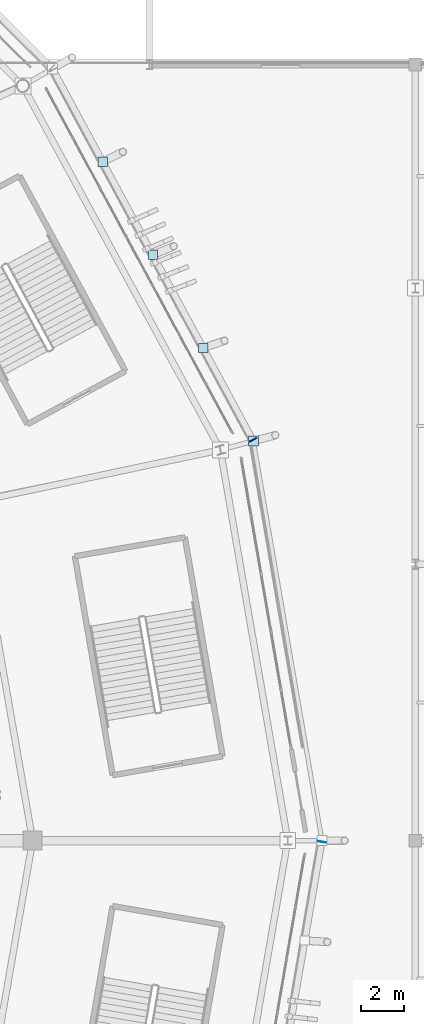
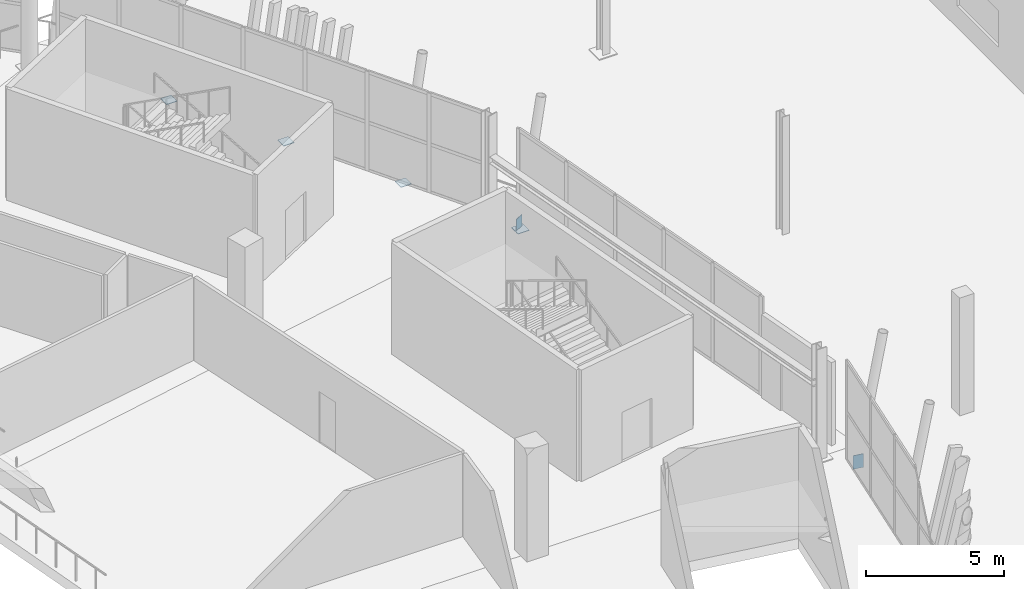
# One storey, part 113 of 178: 6 plates.
"""IFC4 building model written with IfcOpenShell, lengths in metres."""

import ifcopenshell
import ifcopenshell.guid

model = None  # the IFC model being written
_history = None  # IfcOwnerHistory: only IFC2X3 demands one
_inside = {}  # id of a spatial element -> (the spatial element, [elements in it])
_under = {}  # id of a project, library or spatial element -> (it, [spatial elements below it])
_declared = {}  # id of a project -> (the project, [libraries it declares])
_typed = {}  # id of a type object -> (the type object, [elements of that type])
_made_of = {}  # id of a material, layer set ... -> (it, [elements and type objects made of it])


def new_model(schema):
    """Start an empty IFC model of exactly this schema.

    Asked for "IFC4X3", IfcOpenShell would pick the latest addendum, in which some entities
    have other attributes; the version numbers below select the first issue.
    IFC2X3 requires an IfcOwnerHistory on every rooted entity: one is made here for all.
    """
    global model, _history
    if schema == "IFC4X3":
        model = ifcopenshell.file(schema_version=(4, 3, 0, 0))
    else:
        model = ifcopenshell.file(schema=schema)
    _inside.clear()
    _under.clear()
    _declared.clear()
    _typed.clear()
    _made_of.clear()
    _history = None
    if model.schema == "IFC2X3":
        org = make("IfcOrganization", Name="unknown")
        user = make(
            "IfcPersonAndOrganization",
            ThePerson=make("IfcPerson", FamilyName="unknown"),
            TheOrganization=org,
        )
        app = make(
            "IfcApplication",
            ApplicationDeveloper=org,
            Version="unknown",
            ApplicationFullName="unknown",
            ApplicationIdentifier="unknown",
        )
        _history = make(
            "IfcOwnerHistory",
            OwningUser=user,
            OwningApplication=app,
            ChangeAction="ADDED",
            CreationDate=0,
        )
    return model


def make(cls, **values):
    """One entity of the class cls with the attributes given. An attribute that is None is left unset."""
    return model.create_entity(
        cls, **{name: value for name, value in values.items() if value is not None}
    )


def rooted(cls, **values):
    """An entity with a GlobalId (a new one), such as an element, a storey or a relation."""
    return make(cls, GlobalId=ifcopenshell.guid.new(), OwnerHistory=_history, **values)


def si_unit(unit_type, name, prefix=None):
    """IfcSIUnit, for example si_unit("LENGTHUNIT", "METRE", prefix="MILLI")."""
    return make("IfcSIUnit", UnitType=unit_type, Prefix=prefix, Name=name)


def assignment(units):
    """IfcUnitAssignment: the units of a project."""
    return None if units is None else make("IfcUnitAssignment", Units=units)


def point(xyz):
    """IfcCartesianPoint."""
    return None if xyz is None else make("IfcCartesianPoint", Coordinates=xyz)


def direction(xyz):
    """IfcDirection."""
    return None if xyz is None else make("IfcDirection", DirectionRatios=xyz)


def frame(location, z_axis=None, x_axis=None):
    """IfcAxis2Placement3D, a coordinate frame: its origin and axes. An axis left out is left unset."""
    return make(
        "IfcAxis2Placement3D",
        Location=point(location),
        Axis=direction(z_axis),
        RefDirection=direction(x_axis),
    )


def frame_2d(location, x_axis=None):
    """IfcAxis2Placement2D, a coordinate frame in the plane: its origin and x axis."""
    return make(
        "IfcAxis2Placement2D", Location=point(location), RefDirection=direction(x_axis)
    )


def origin():
    """The frame at (0, 0, 0) with its axes left unset."""
    return frame((0.0, 0.0, 0.0))


def origin_2d():
    """The frame at (0, 0) in the plane with its x axis left unset."""
    return frame_2d((0.0, 0.0))


def place(relative_to, where):
    """IfcLocalPlacement: puts the frame where relative to a parent placement (None: the world)."""
    return make(
        "IfcLocalPlacement", PlacementRelTo=relative_to, RelativePlacement=where
    )


def context(
    kind, dimensions, precision=None, world=None, true_north=None, identifier=None
):
    """IfcGeometricRepresentationContext, for example the 3D "Model" context."""
    return make(
        "IfcGeometricRepresentationContext",
        ContextIdentifier=identifier,
        ContextType=kind,
        CoordinateSpaceDimension=dimensions,
        Precision=precision,
        WorldCoordinateSystem=world,
        TrueNorth=true_north,
    )


def subcontext(parent, identifier, kind, view, scale=None):
    """IfcGeometricRepresentationSubContext, for example "Body" below "Model"."""
    return make(
        "IfcGeometricRepresentationSubContext",
        ContextIdentifier=identifier,
        ContextType=kind,
        ParentContext=parent,
        TargetScale=scale,
        TargetView=view,
    )


def project(units=None, contexts=None):
    """IfcProject with its units and contexts."""
    return rooted(
        "IfcProject",
        Name="project",
        RepresentationContexts=contexts,
        UnitsInContext=assignment(units),
    )


def spatial(cls, under=None, at=None, **own):
    """A site, building, storey or space (cls), placed at a placement, below another one or the project."""
    s = rooted(cls, ObjectPlacement=at, **own)
    if under is not None:
        _under.setdefault(under.id(), (under, []))[1].append(s)
    return s


def profile(cls, at=None, kind="AREA", **sizes):
    """A parametric profile (cls). Its sizes go by their IFC names, for example OverallWidth=200.0."""
    return make(cls, ProfileType=kind, Position=at, **sizes)


def rectangle(**sizes):
    """IfcRectangleProfileDef."""
    return profile("IfcRectangleProfileDef", **sizes)


def extrude(swept, where, along, depth):
    """IfcExtrudedAreaSolid: the profile swept, set in the frame where, extruded along a direction by depth."""
    return make(
        "IfcExtrudedAreaSolid",
        SweptArea=swept,
        Position=where,
        ExtrudedDirection=direction(along),
        Depth=depth,
    )


def shape(context_of_items, identifier, shape_type, items):
    """IfcShapeRepresentation: the items that make up one representation, for example the "Body"."""
    return make(
        "IfcShapeRepresentation",
        ContextOfItems=context_of_items,
        RepresentationIdentifier=identifier,
        RepresentationType=shape_type,
        Items=items,
    )


def material(Name=None, Category=None):
    """IfcMaterial."""
    return make("IfcMaterial", Name=Name, Category=Category)


def layer(
    of_material, thickness, ventilated=None, Name=None, Category=None, Priority=None
):
    """IfcMaterialLayer: one layer of a wall or slab, of a material (None: an air gap)."""
    return make(
        "IfcMaterialLayer",
        Material=of_material,
        LayerThickness=thickness,
        IsVentilated=ventilated,
        Name=Name,
        Category=Category,
        Priority=Priority,
    )


def layer_set(layers, Name=None):
    """IfcMaterialLayerSet."""
    return make("IfcMaterialLayerSet", MaterialLayers=layers, LayerSetName=Name)


def made_of(thing, what):
    """Note that an element or type object is made of a material, layer set ...; save() writes the relation."""
    if what is not None:
        _made_of.setdefault(what.id(), (what, []))[1].append(thing)
    return thing


def type_object(cls, material=None, **own):
    """A type object (cls), such as IfcWallType, which elements share."""
    return made_of(rooted(cls, **own), material)


def element(
    cls,
    number,
    at=None,
    inside=None,
    cuts=None,
    type_object=None,
    material=None,
    context=None,
    identifier="Body",
    shape_type=None,
    held_by="IfcProductDefinitionShape",
    body=None,
    shapes=None,
    **own,
):
    """One element of the class cls, such as IfcWall. Its Tag is "e" and its number.

    at: its placement. inside: the storey or other place that contains it. cuts: it is an
    opening in that element (IfcRelVoidsElement). A single representation is given by context,
    identifier, shape_type and body (its items); several are given by shapes. held_by: the class
    of the entity that holds the representations. save() writes the other relations.
    """
    e = rooted(cls, Tag="e%d" % number, ObjectPlacement=at, **own)
    if body is not None:
        shapes = [shape(context, identifier, shape_type, body)]
    if shapes is not None:
        e.Representation = make(held_by, Representations=shapes)
    if inside is not None:
        _inside.setdefault(inside.id(), (inside, []))[1].append(e)
    if cuts is not None:
        rooted(
            "IfcRelVoidsElement", RelatingBuildingElement=cuts, RelatedOpeningElement=e
        )
    if type_object is not None:
        _typed.setdefault(type_object.id(), (type_object, []))[1].append(e)
    return made_of(e, material)


def aggregate(whole, parts):
    """IfcRelAggregates: a whole, such as a stair, and the parts it consists of."""
    return rooted("IfcRelAggregates", RelatingObject=whole, RelatedObjects=parts)


def save(model, path):
    """Write the relations noted so far, then the file.

    IfcRelAggregates (storeys below a building ...), IfcRelContainedInSpatialStructure (elements
    in a storey), IfcRelDefinesByType, IfcRelAssociatesMaterial and IfcRelDeclares: one each for
    every whole, place, type object, material and project.
    """
    for whole, parts in _under.values():
        aggregate(whole, parts)
    for where, things in _inside.values():
        rooted(
            "IfcRelContainedInSpatialStructure",
            RelatedElements=things,
            RelatingStructure=where,
        )
    for kind, things in _typed.values():
        rooted("IfcRelDefinesByType", RelatedObjects=things, RelatingType=kind)
    for what, things in _made_of.values():
        rooted("IfcRelAssociatesMaterial", RelatedObjects=things, RelatingMaterial=what)
    for by, libraries in _declared.values():
        rooted("IfcRelDeclares", RelatingContext=by, RelatedDefinitions=libraries)
    model.write(path)


model = new_model("IFC4")

# Units and contexts
model_context = context("Model", 3, precision=1e-05, world=origin(), true_north=direction((0.0, 1.0)))
body_context = subcontext(model_context, "Body", "Model", "MODEL_VIEW")
ifc_project = project(units=[si_unit("LENGTHUNIT", "METRE"), si_unit("AREAUNIT", "SQUARE_METRE"), si_unit("VOLUMEUNIT", "CUBIC_METRE"), si_unit("PLANEANGLEUNIT", "RADIAN"), si_unit("MASSUNIT", "GRAM", prefix="KILO")], contexts=[model_context])

# Site, building, storey
site_placement = place(None, origin())
site = spatial("IfcSite", under=ifc_project, at=site_placement, CompositionType="ELEMENT")
building_placement = place(site_placement, origin())
building = spatial("IfcBuilding", under=site, at=building_placement, Name="Zlatoyarsky Gate Stadium", CompositionType="ELEMENT")
storey_placement = place(building_placement, frame((0.0, 0.0, 5.39990234375)))
storey = spatial("IfcBuildingStorey", under=building, at=storey_placement, Name="L01", CompositionType="ELEMENT", Elevation=5.39990234375)

# Plates
ifc_material = material(Name="Steel S355", Category="steel")
ifc_layer = layer(ifc_material, 0.02392578125)
ifc_layer_set = layer_set([ifc_layer], Name="Steel S355")
plate_type = type_object("IfcPlateType", Name="STEEL HOLLOW CHORD SPLICE SHEET 24", PredefinedType="SHEET", material=ifc_layer_set)
plate_1_placement = place(storey_placement, frame((202.356201171875, 98.84521484375, -0.849853515625), z_axis=(0.0, 0.0, 1.0), x_axis=(-0.474957557599, 0.880008703639, 0.0)))
element("IfcPlate", 1, at=plate_1_placement, inside=storey, type_object=plate_type, Name="Hollow end cap ND-SP1 CAP-L01-SPD-01 A", PredefinedType="SHEET", context=body_context, shape_type="SweptSolid", body=[
    extrude(rectangle(XDim=0.02392578125, YDim=0.39990234375, at=origin_2d()), origin(), (0.0, 0.0, 1.0), 0.60009765625),
])
plate_2_placement = place(storey_placement, frame((202.384765625, 98.79248046875, -0.77197265625), z_axis=(0.0, 0.0, 1.0), x_axis=(1.0, 0.0, 0.0)))
element("IfcPlate", 2, at=plate_2_placement, inside=storey, type_object=plate_type, Name="Node closure plate ND-SP1 NCAP-L01-RSTR-01", PredefinedType="SHEET", context=body_context, shape_type="SweptSolid", body=[
    extrude(rectangle(XDim=0.47998046875, YDim=0.47998046875, at=origin_2d()), origin(), (0.0, 0.0, 1.0), 0.02392578125),
])
plate_3_placement = place(storey_placement, frame((205.598388671875, 79.94091796875, -1.010009765625), z_axis=(0.0, 0.0, 1.0), x_axis=(0.169072263446, 0.985603657528, 0.0)))
element("IfcPlate", 3, at=plate_3_placement, inside=storey, type_object=plate_type, Name="Hollow end cap ND-SP1 CAP-L01-SPD-23 B", PredefinedType="SHEET", context=body_context, shape_type="SweptSolid", body=[
    extrude(rectangle(XDim=0.02392578125, YDim=0.39990234375, at=origin_2d()), origin(), (0.0, 0.0, 1.0), 0.60009765625),
])
for number, where, z_axis, x_axis, name in (
    (4, (200.02197265625, 103.17041015625, -0.561767578125), (0.0, 0.0, 1.0), (1.0, 0.0, 0.0), "Node closure plate ND-SP1 NCAP-RIB-01-1-0B"),
    (5, (197.6591796875, 107.54833984375, -0.561767578125), (0.0, 0.0, 1.0), (1.0, 0.0, 0.0), "Node closure plate ND-SP1 NCAP-RIB-01-2-0B"),
    (6, (195.29638671875, 111.92626953125, -0.561767578125), (0.0, 0.0, 1.0), (1.0, 0.0, 0.0), "Node closure plate ND-SP1 NCAP-RIB-01-3-0B"),
):
    element("IfcPlate", number, at=place(storey_placement, frame(where, z_axis=z_axis, x_axis=x_axis)), inside=storey, type_object=plate_type, Name=name, PredefinedType="SHEET", context=body_context, shape_type="SweptSolid", body=[
        extrude(rectangle(XDim=0.43994140625, YDim=0.43994140625, at=origin_2d()), origin(), (0.0, 0.0, 1.0), 0.02392578125),
    ])

save(model, "model.ifc")
